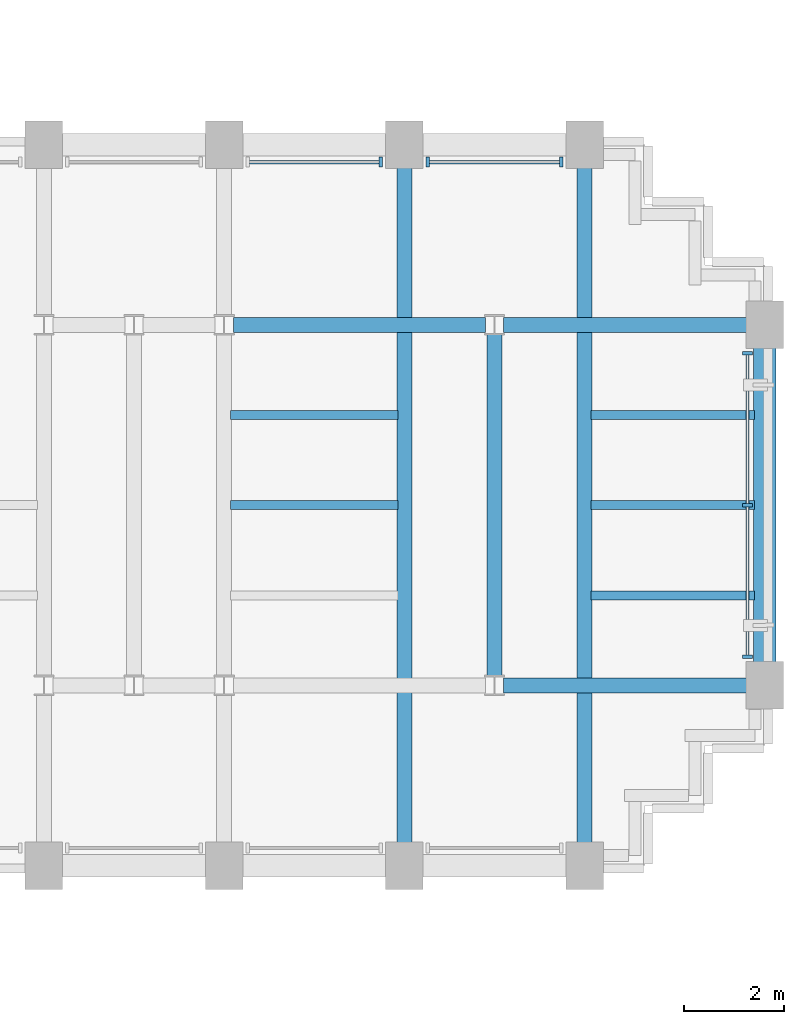
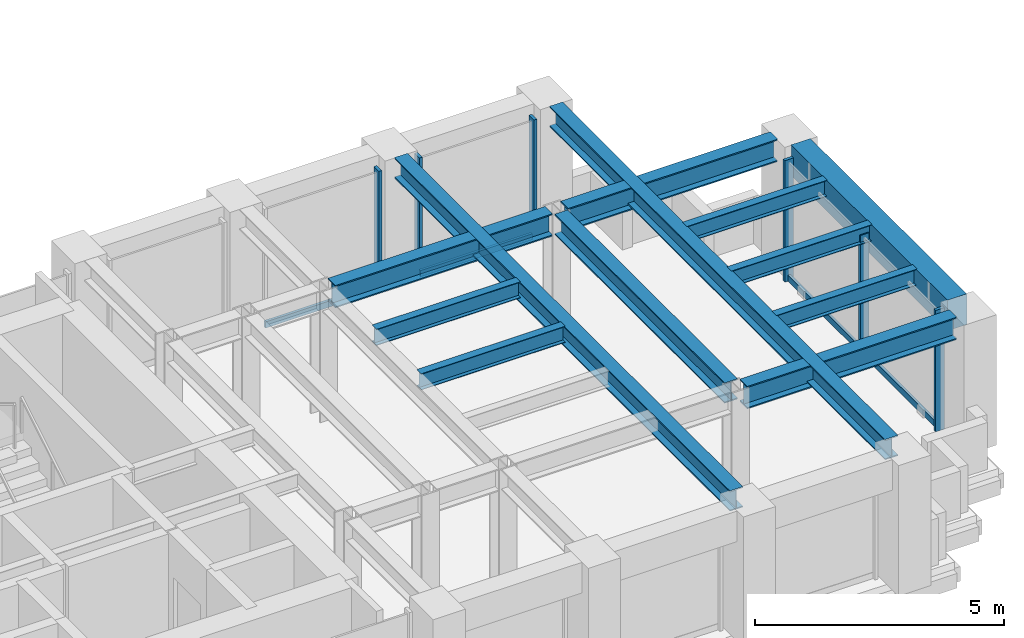
# One storey, part 6 of 16: 12 beams, 10 members, 3 elements without a shape of their own.
"""IFC4 building model written with IfcOpenShell, lengths in metres."""

from ifc_helpers import new_model, si_unit, direction, frame, origin, origin_2d, place, context, subcontext, project, spatial, rectangle, i_section, extrude, source, transform, mapped, material, material_profile, profile_set, type_object, element, aggregate, save


model = new_model("IFC4")

# Units and contexts
model_context = context("Model", 3, precision=1e-05, world=origin(), true_north=direction((0.0, 1.0)))
body_context = subcontext(model_context, "Body", "Model", "MODEL_VIEW")
ifc_project = project(units=[si_unit("LENGTHUNIT", "METRE"), si_unit("AREAUNIT", "SQUARE_METRE"), si_unit("VOLUMEUNIT", "CUBIC_METRE"), si_unit("PLANEANGLEUNIT", "RADIAN"), si_unit("MASSUNIT", "GRAM", prefix="KILO")], contexts=[model_context])

# Site, building, storey
site_placement = place(None, origin())
site = spatial("IfcSite", under=ifc_project, at=site_placement, CompositionType="ELEMENT")
building_placement = place(site_placement, origin())
building = spatial("IfcBuilding", under=site, at=building_placement, Name="Keilestroom Media Tower", CompositionType="ELEMENT")
storey_placement = place(building_placement, frame((0.0, 0.0, 30.60009765625)))
storey = spatial("IfcBuildingStorey", under=building, at=storey_placement, Name="L06", CompositionType="ELEMENT", Elevation=30.60009765625)

# Beams
ifc_material_1 = material(Name="Precast concrete C40/50", Category="concrete")
ifc_material_profile_1 = material_profile(ifc_material_1, rectangle(XDim=0.449951171875, YDim=0.75, at=origin_2d()), Name="PC 450x750")
ifc_profile_set_1 = profile_set([ifc_material_profile_1], Name="Precast concrete C40/50")
beam_type_1 = type_object("IfcBeamType", Name="Perimeter-Spandrel-Beam-PC-450x750", PredefinedType="SPANDREL", material=ifc_profile_set_1)
shared_shape_1 = source(origin(), body_context, "Body", "SweptSolid", [
    extrude(rectangle(XDim=0.449951171875, YDim=0.75, at=origin_2d()), origin(), (0.0, 0.0, 1.0), 6.2900390625),
])
beam_1_placement = place(storey_placement, frame((28.800048828125, -3.14501953125, 2.824951171875), z_axis=(0.0, 1.0, 0.0), x_axis=(-1.0, 0.0, 0.0)))
element("IfcBeam", 1, at=beam_1_placement, inside=storey, type_object=beam_type_1, Name="L06 Beam SPB-1 BM-L06-NS-086", PredefinedType="SPANDREL", context=body_context, shape_type="MappedRepresentation", body=[
    mapped(shared_shape_1, transform((0.0, 0.0, 0.0), x_axis=(1.0, 0.0, 0.0), y_axis=(0.0, 1.0, 0.0), z_axis=(0.0, 0.0, 1.0), scale=1.0)),
])
ifc_material_2 = material(Name="Steel S355", Category="steel")
ifc_material_profile_2 = material_profile(ifc_material_2, i_section(OverallWidth=0.300048828125, OverallDepth=0.550048828125, WebThickness=0.012939453125, FlangeThickness=0.029052734375, at=origin_2d()), Name="HEB 550")
ifc_profile_set_2 = profile_set([ifc_material_profile_2], Name="Steel S355")
beam_type_2 = type_object("IfcBeamType", Name="Primary-Structural-Girder-HEB-550", PredefinedType="BEAM", material=ifc_profile_set_2)
shared_shape_2 = source(origin(), body_context, "Body", "SweptSolid", [
    extrude(i_section(OverallWidth=0.300048828125, OverallDepth=0.550048828125, WebThickness=0.012939453125, FlangeThickness=0.029052734375, at=origin_2d()), origin(), (0.0, 0.0, 1.0), 4.863037109375),
])
for number, where, z_axis, x_axis, name in (
    (2, (23.58203125, -3.60009765625, 2.9248046875), (1.0, 0.0, 0.0), (0.0, 1.0, 0.0), "L06 Beam BG-5 BM-L06-EW-025"),
    (3, (23.58203125, 3.60009765625, 2.9248046875), (1.0, 0.0, 0.0), (0.0, 1.0, 0.0), "L06 Beam BG-5 BM-L06-EW-033"),
):
    element("IfcBeam", number, at=place(storey_placement, frame(where, z_axis=z_axis, x_axis=x_axis)), inside=storey, type_object=beam_type_2, Name=name, PredefinedType="BEAM", context=body_context, shape_type="MappedRepresentation", body=[
        mapped(shared_shape_2, transform((0.0, 0.0, 0.0), x_axis=(1.0, 0.0, 0.0), y_axis=(0.0, 1.0, 0.0), z_axis=(0.0, 0.0, 1.0), scale=1.0)),
    ])
shared_shape_3 = source(origin(), body_context, "Body", "SweptSolid", [
    extrude(i_section(OverallWidth=0.300048828125, OverallDepth=0.550048828125, WebThickness=0.012939453125, FlangeThickness=0.029052734375, at=origin_2d()), origin(), (0.0, 0.0, 1.0), 5.0361328125),
])
beam_2_placement = place(storey_placement, frame((18.181884765625, 3.60009765625, 2.9248046875), z_axis=(1.0, 0.0, 0.0), x_axis=(0.0, 1.0, 0.0)))
element("IfcBeam", 4, at=beam_2_placement, inside=storey, type_object=beam_type_2, Name="L06 Beam BG-5 BM-L06-EW-032", PredefinedType="BEAM", context=body_context, shape_type="MappedRepresentation", body=[
    mapped(shared_shape_3, transform((0.0, 0.0, 0.0), x_axis=(1.0, 0.0, 0.0), y_axis=(0.0, 1.0, 0.0), z_axis=(0.0, 0.0, 1.0), scale=1.0)),
])
ifc_material_profile_3 = material_profile(ifc_material_2, i_section(OverallWidth=0.300048828125, OverallDepth=0.5, WebThickness=0.012451171875, FlangeThickness=0.028076171875, at=origin_2d()), Name="HEB 500")
ifc_profile_set_3 = profile_set([ifc_material_profile_3], Name="Steel S355")
beam_type_3 = type_object("IfcBeamType", Name="Primary-Structural-Girder-HEB-500", PredefinedType="BEAM", material=ifc_profile_set_3)
shared_shape_4 = source(origin(), body_context, "Body", "SweptSolid", [
    extrude(i_section(OverallWidth=0.300048828125, OverallDepth=0.5, WebThickness=0.012451171875, FlangeThickness=0.028076171875, at=origin_2d()), origin(), (0.0, 0.0, 1.0), 13.490234375),
])
for number, where, z_axis, x_axis, name in (
    (5, (21.60009765625, -6.7451171875, 2.949951171875), (0.0, 1.0, 0.0), (-1.0, 0.0, 0.0), "L06 Beam BG-6 BM-L06-NS-083"),
    (6, (25.199951171875, -6.7451171875, 2.949951171875), (0.0, 1.0, 0.0), (-1.0, 0.0, 0.0), "L06 Beam BG-6 BM-L06-NS-085"),
):
    element("IfcBeam", number, at=place(storey_placement, frame(where, z_axis=z_axis, x_axis=x_axis)), inside=storey, type_object=beam_type_3, Name=name, PredefinedType="BEAM", context=body_context, shape_type="MappedRepresentation", body=[
        mapped(shared_shape_4, transform((0.0, 0.0, 0.0), x_axis=(1.0, 0.0, 0.0), y_axis=(0.0, 1.0, 0.0), z_axis=(0.0, 0.0, 1.0), scale=1.0)),
    ])
shared_shape_5 = source(origin(), body_context, "Body", "SweptSolid", [
    extrude(i_section(OverallWidth=0.300048828125, OverallDepth=0.5, WebThickness=0.012451171875, FlangeThickness=0.028076171875, at=origin_2d()), origin(), (0.0, 0.0, 1.0), 6.8330078125),
])
beam_3_placement = place(storey_placement, frame((23.39990234375, -3.41650390625, 2.949951171875), z_axis=(0.0, 1.0, 0.0), x_axis=(-1.0, 0.0, 0.0)))
element("IfcBeam", 7, at=beam_3_placement, inside=storey, type_object=beam_type_3, Name="L06 Beam BG-6 BM-L06-NS-084", PredefinedType="BEAM", context=body_context, shape_type="MappedRepresentation", body=[
    mapped(shared_shape_5, transform((0.0, 0.0, 0.0), x_axis=(1.0, 0.0, 0.0), y_axis=(0.0, 1.0, 0.0), z_axis=(0.0, 0.0, 1.0), scale=1.0)),
])
ifc_material_profile_4 = material_profile(ifc_material_2, i_section(OverallWidth=0.179931640625, OverallDepth=0.39990234375, WebThickness=0.008544921875, FlangeThickness=0.013427734375, at=origin_2d()), Name="IPE 400")
ifc_profile_set_4 = profile_set([ifc_material_profile_4], Name="Steel S355")
beam_type_4 = type_object("IfcBeamType", Name="Secondary-Floor-Joist-IPE-400", PredefinedType="JOIST", material=ifc_profile_set_4)
shared_shape_6 = source(origin(), body_context, "Body", "SweptSolid", [
    extrude(i_section(OverallWidth=0.179931640625, OverallDepth=0.39990234375, WebThickness=0.008544921875, FlangeThickness=0.013427734375, at=origin_2d()), origin(), (0.0, 0.0, 1.0), 3.264892578125),
])
for number, where, z_axis, x_axis, name in (
    (8, (25.330078125, -1.800048828125, 3.0), (1.0, 0.0, 0.0), (0.0, 1.0, 0.0), "L06 Beam BJ-4 JST-L06-095"),
    (9, (25.330078125, 0.0, 3.0), (1.0, 0.0, 0.0), (0.0, 1.0, 0.0), "L06 Beam BJ-4 JST-L06-102"),
    (10, (25.330078125, 1.800048828125, 3.0), (1.0, 0.0, 0.0), (0.0, 1.0, 0.0), "L06 Beam BJ-4 JST-L06-109"),
):
    element("IfcBeam", number, at=place(storey_placement, frame(where, z_axis=z_axis, x_axis=x_axis)), inside=storey, type_object=beam_type_4, Name=name, PredefinedType="JOIST", context=body_context, shape_type="MappedRepresentation", body=[
        mapped(shared_shape_6, transform((0.0, 0.0, 0.0), x_axis=(1.0, 0.0, 0.0), y_axis=(0.0, 1.0, 0.0), z_axis=(0.0, 0.0, 1.0), scale=1.0)),
    ])
shared_shape_7 = source(origin(), body_context, "Body", "SweptSolid", [
    extrude(i_section(OverallWidth=0.179931640625, OverallDepth=0.39990234375, WebThickness=0.008544921875, FlangeThickness=0.013427734375, at=origin_2d()), origin(), (0.0, 0.0, 1.0), 3.340087890625),
])
for number, where, z_axis, x_axis, name in (
    (11, (18.1298828125, 0.0, 3.0), (1.0, 0.0, 0.0), (0.0, 1.0, 0.0), "L06 Beam BJ-4 JST-L06-101"),
    (12, (18.1298828125, 1.800048828125, 3.0), (1.0, 0.0, 0.0), (0.0, 1.0, 0.0), "L06 Beam BJ-4 JST-L06-108"),
):
    element("IfcBeam", number, at=place(storey_placement, frame(where, z_axis=z_axis, x_axis=x_axis)), inside=storey, type_object=beam_type_4, Name=name, PredefinedType="JOIST", context=body_context, shape_type="MappedRepresentation", body=[
        mapped(shared_shape_7, transform((0.0, 0.0, 0.0), x_axis=(1.0, 0.0, 0.0), y_axis=(0.0, 1.0, 0.0), z_axis=(0.0, 0.0, 1.0), scale=1.0)),
    ])

# Curtain wall, members
ifc_material_3 = material(Name="Anodised Aluminium Alloy", Category="aluminium")
curtain_wall_type = type_object("IfcCurtainWallType", Name="Unitised-Curtain-Wall-CW-1", PredefinedType="NOTDEFINED", material=ifc_material_3)
curtain_wall_1_placement = place(storey_placement, origin())
curtain_wall_1 = element("IfcCurtainWall", 13, at=curtain_wall_1_placement, inside=storey, type_object=curtain_wall_type, Name="L06 Curtain Wall CW-1 CW-L06-E-1", PredefinedType="NOTDEFINED")
ifc_material_profile_5 = material_profile(ifc_material_3, rectangle(XDim=0.070068359375, YDim=0.199951171875, at=origin_2d()), Name="ALU MULLION 70x200")
ifc_profile_set_5 = profile_set([ifc_material_profile_5], Name="Anodised Aluminium Alloy")
member_type_1 = type_object("IfcMemberType", Name="Curtain-Wall-Mullion-CW-1", PredefinedType="MULLION", material=ifc_profile_set_5)
shared_shape_8 = source(origin(), body_context, "Body", "SweptSolid", [
    extrude(rectangle(XDim=0.070068359375, YDim=0.199951171875, at=origin_2d()), origin(), (0.0, 0.0, 1.0), 2.97998046875),
])
member_1_placement = place(storey_placement, frame((28.449951171875, -3.030029296875, 0.0), z_axis=(0.0, 0.0, 1.0), x_axis=(0.0, 1.0, 0.0)))
member_1 = element("IfcMember", 14, at=member_1_placement, type_object=member_type_1, Name="CW-1 Mullion 00", PredefinedType="MULLION", context=body_context, shape_type="MappedRepresentation", body=[
    mapped(shared_shape_8, transform((0.0, 0.0, 0.0), x_axis=(1.0, 0.0, 0.0), y_axis=(0.0, 1.0, 0.0), z_axis=(0.0, 0.0, 1.0), scale=1.0)),
])
member_2_placement = place(storey_placement, frame((28.449951171875, 0.0, 0.0), z_axis=(0.0, 0.0, 1.0), x_axis=(0.0, 1.0, 0.0)))
member_2 = element("IfcMember", 15, at=member_2_placement, type_object=member_type_1, Name="CW-1 Mullion 01", PredefinedType="MULLION", context=body_context, shape_type="MappedRepresentation", body=[
    mapped(shared_shape_8, transform((0.0, 0.0, 0.0), x_axis=(1.0, 0.0, 0.0), y_axis=(0.0, 1.0, 0.0), z_axis=(0.0, 0.0, 1.0), scale=1.0)),
])
member_3_placement = place(storey_placement, frame((28.449951171875, 3.030029296875, 0.0), z_axis=(0.0, 0.0, 1.0), x_axis=(0.0, 1.0, 0.0)))
member_3 = element("IfcMember", 16, at=member_3_placement, type_object=member_type_1, Name="CW-1 Mullion 02", PredefinedType="MULLION", context=body_context, shape_type="MappedRepresentation", body=[
    mapped(shared_shape_8, transform((0.0, 0.0, 0.0), x_axis=(1.0, 0.0, 0.0), y_axis=(0.0, 1.0, 0.0), z_axis=(0.0, 0.0, 1.0), scale=1.0)),
])

# Curtain wall, member
curtain_wall_2_placement = place(storey_placement, origin())
curtain_wall_2 = element("IfcCurtainWall", 17, at=curtain_wall_2_placement, inside=storey, type_object=curtain_wall_type, Name="L06 Curtain Wall CW-1 CW-L06-NE-3", PredefinedType="NOTDEFINED")
member_4_placement = place(storey_placement, frame((21.1298828125, 6.85009765625, 0.0), z_axis=(0.0, 0.0, 1.0), x_axis=(1.0, 0.0, 0.0)))
member_4 = element("IfcMember", 18, at=member_4_placement, type_object=member_type_1, Name="CW-1 Mullion 01", PredefinedType="MULLION", context=body_context, shape_type="MappedRepresentation", body=[
    mapped(shared_shape_8, transform((0.0, 0.0, 0.0), x_axis=(1.0, 0.0, 0.0), y_axis=(0.0, 1.0, 0.0), z_axis=(0.0, 0.0, 1.0), scale=1.0)),
])

# Curtain wall, members
curtain_wall_3_placement = place(storey_placement, origin())
curtain_wall_3 = element("IfcCurtainWall", 19, at=curtain_wall_3_placement, inside=storey, type_object=curtain_wall_type, Name="L06 Curtain Wall CW-1 CW-L06-NE-4", PredefinedType="NOTDEFINED")
member_5_placement = place(storey_placement, frame((22.070068359375, 6.85009765625, 0.0), z_axis=(0.0, 0.0, 1.0), x_axis=(1.0, 0.0, 0.0)))
member_5 = element("IfcMember", 20, at=member_5_placement, type_object=member_type_1, Name="CW-1 Mullion 00", PredefinedType="MULLION", context=body_context, shape_type="MappedRepresentation", body=[
    mapped(shared_shape_8, transform((0.0, 0.0, 0.0), x_axis=(1.0, 0.0, 0.0), y_axis=(0.0, 1.0, 0.0), z_axis=(0.0, 0.0, 1.0), scale=1.0)),
])
member_6_placement = place(storey_placement, frame((24.72998046875, 6.85009765625, 0.0), z_axis=(0.0, 0.0, 1.0), x_axis=(1.0, 0.0, 0.0)))
member_6 = element("IfcMember", 21, at=member_6_placement, type_object=member_type_1, Name="CW-1 Mullion 01", PredefinedType="MULLION", context=body_context, shape_type="MappedRepresentation", body=[
    mapped(shared_shape_8, transform((0.0, 0.0, 0.0), x_axis=(1.0, 0.0, 0.0), y_axis=(0.0, 1.0, 0.0), z_axis=(0.0, 0.0, 1.0), scale=1.0)),
])

# Member
ifc_material_profile_6 = material_profile(ifc_material_3, rectangle(XDim=0.06494140625, YDim=0.14990234375, at=origin_2d()), Name="ALU TRANSOM 65x150")
ifc_profile_set_6 = profile_set([ifc_material_profile_6], Name="Anodised Aluminium Alloy")
member_type_2 = type_object("IfcMemberType", Name="Curtain-Wall-Transom-CW-1", PredefinedType="USERDEFINED", material=ifc_profile_set_6)
shared_shape_9 = source(origin(), body_context, "Body", "SweptSolid", [
    extrude(rectangle(XDim=0.06494140625, YDim=0.14990234375, at=origin_2d()), origin(), (0.0, 0.0, 1.0), 2.964111328125),
])
member_7_placement = place(storey_placement, frame((28.449951171875, -2.9970703125, 0.074951171875), z_axis=(0.0, 1.0, 0.0), x_axis=(-1.0, 0.0, 0.0)))
member_7 = element("IfcMember", 22, at=member_7_placement, type_object=member_type_2, Name="CW-1 Transom 00.1", ObjectType="TRANSOM", PredefinedType="USERDEFINED", context=body_context, shape_type="MappedRepresentation", body=[
    mapped(shared_shape_9, transform((0.0, 0.0, 0.0), x_axis=(1.0, 0.0, 0.0), y_axis=(0.0, 1.0, 0.0), z_axis=(0.0, 0.0, 1.0), scale=1.0)),
])

member_8_placement = place(storey_placement, frame((28.449951171875, 0.032958984375, 0.074951171875), z_axis=(0.0, 1.0, 0.0), x_axis=(-1.0, 0.0, 0.0)))
member_8 = element("IfcMember", 23, at=member_8_placement, type_object=member_type_2, Name="CW-1 Transom 01.1", ObjectType="TRANSOM", PredefinedType="USERDEFINED", context=body_context, shape_type="MappedRepresentation", body=[
    mapped(shared_shape_9, transform((0.0, 0.0, 0.0), x_axis=(1.0, 0.0, 0.0), y_axis=(0.0, 1.0, 0.0), z_axis=(0.0, 0.0, 1.0), scale=1.0)),
])

aggregate(curtain_wall_1, [member_1, member_2, member_3, member_7, member_8])

shared_shape_10 = source(origin(), body_context, "Body", "SweptSolid", [
    extrude(rectangle(XDim=0.06494140625, YDim=0.14990234375, at=origin_2d()), origin(), (0.0, 0.0, 1.0), 2.593994140625),
])
member_9_placement = place(storey_placement, frame((18.5029296875, 6.85009765625, 0.074951171875), z_axis=(1.0, 0.0, 0.0), x_axis=(0.0, 1.0, 0.0)))
member_9 = element("IfcMember", 24, at=member_9_placement, type_object=member_type_2, Name="CW-1 Transom 00.1", ObjectType="TRANSOM", PredefinedType="USERDEFINED", context=body_context, shape_type="MappedRepresentation", body=[
    mapped(shared_shape_10, transform((0.0, 0.0, 0.0), x_axis=(1.0, 0.0, 0.0), y_axis=(0.0, 1.0, 0.0), z_axis=(0.0, 0.0, 1.0), scale=1.0)),
])

aggregate(curtain_wall_2, [member_4, member_9])

member_10_placement = place(storey_placement, frame((22.10302734375, 6.85009765625, 0.074951171875), z_axis=(1.0, 0.0, 0.0), x_axis=(0.0, 1.0, 0.0)))
member_10 = element("IfcMember", 25, at=member_10_placement, type_object=member_type_2, Name="CW-1 Transom 00.1", ObjectType="TRANSOM", PredefinedType="USERDEFINED", context=body_context, shape_type="MappedRepresentation", body=[
    mapped(shared_shape_10, transform((0.0, 0.0, 0.0), x_axis=(1.0, 0.0, 0.0), y_axis=(0.0, 1.0, 0.0), z_axis=(0.0, 0.0, 1.0), scale=1.0)),
])

aggregate(curtain_wall_3, [member_5, member_6, member_10])

save(model, "model.ifc")
